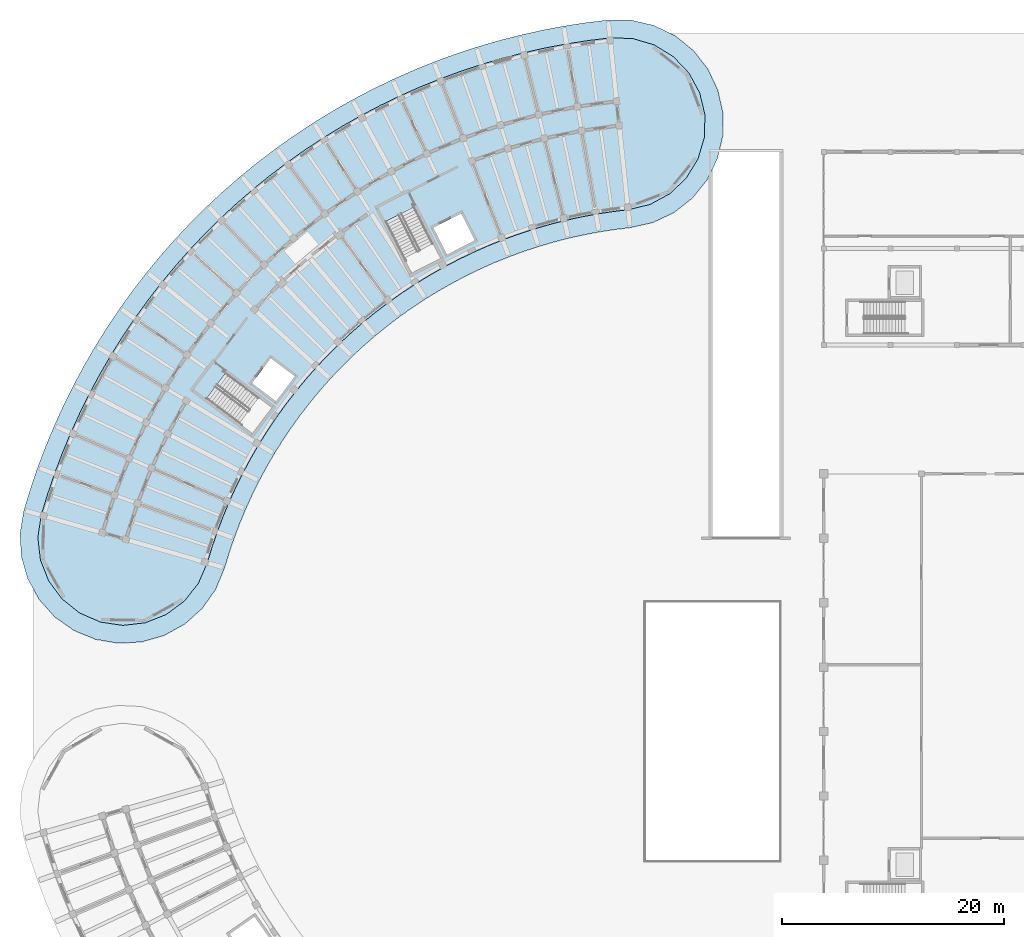
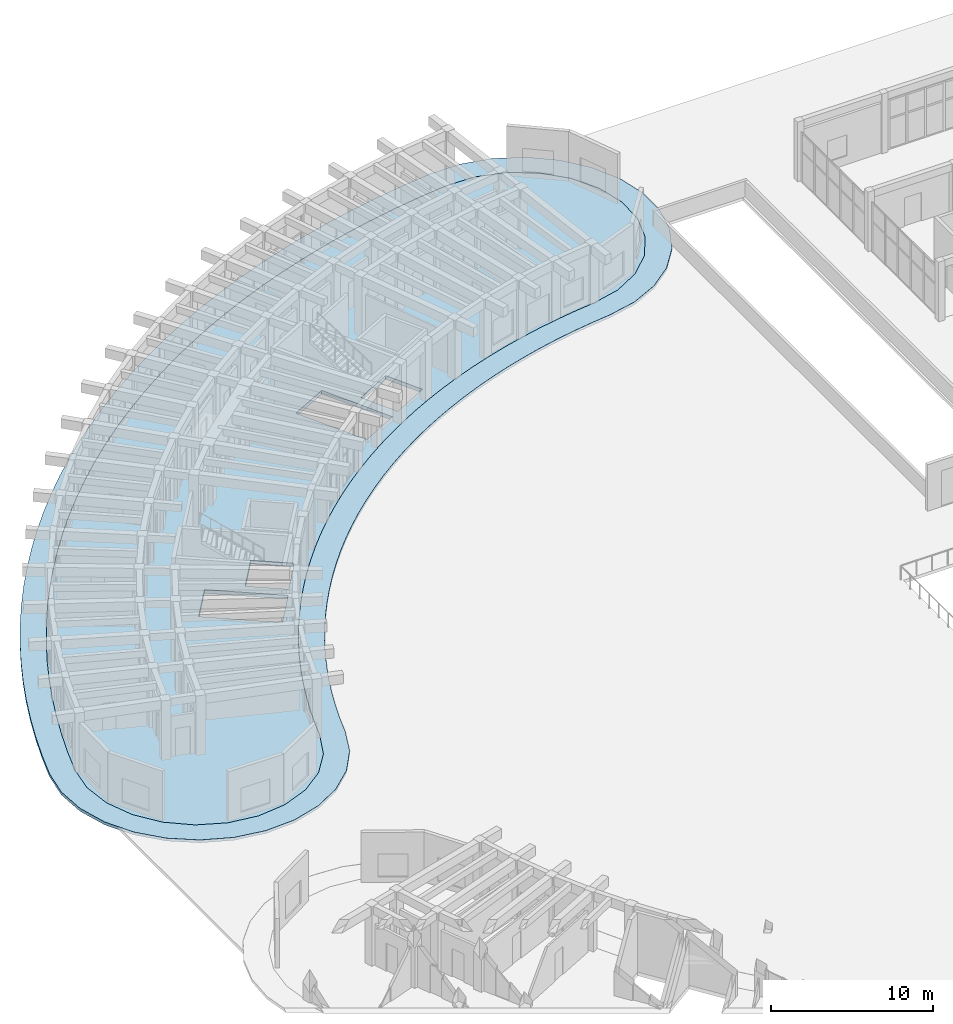
# One storey, part 77 of 132: 2 slabs.
"""IFC4 building model written with IfcOpenShell, lengths in metres."""

from ifc_helpers import new_model, si_unit, direction, frame, origin, place, context, subcontext, project, spatial, polyline, outline, extrude, material, layer, layer_set, type_object, element, save


model = new_model("IFC4")

# Units and contexts
model_context = context("Model", 3, precision=1e-05, world=origin(), true_north=direction((0.0, 1.0)))
body_context = subcontext(model_context, "Body", "Model", "MODEL_VIEW")
ifc_project = project(units=[si_unit("LENGTHUNIT", "METRE"), si_unit("AREAUNIT", "SQUARE_METRE"), si_unit("VOLUMEUNIT", "CUBIC_METRE"), si_unit("PLANEANGLEUNIT", "RADIAN"), si_unit("MASSUNIT", "GRAM", prefix="KILO")], contexts=[model_context])

# Site, building, storey
site_placement = place(None, origin())
site = spatial("IfcSite", under=ifc_project, at=site_placement, CompositionType="ELEMENT")
building_placement = place(site_placement, origin())
building = spatial("IfcBuilding", under=site, at=building_placement, Name="Tanwirah Colonnade Gardens", CompositionType="ELEMENT")
storey_placement = place(building_placement, origin())
storey = spatial("IfcBuildingStorey", under=building, at=storey_placement, Name="L00", CompositionType="ELEMENT", Elevation=0.0)

# Slabs
ifc_material_1 = material(Name="Concrete C45/55", Category="concrete")
ifc_layer_1 = layer(ifc_material_1, 0.280029296875)
ifc_layer_set_1 = layer_set([ifc_layer_1], Name="Concrete C45/55")
slab_type_1 = type_object("IfcSlabType", Name="SL-POD-280", PredefinedType="FLOOR", material=ifc_layer_set_1)
slab_1_placement = place(storey_placement, frame((0.0, 0.0, -0.280029296875)))
element("IfcSlab", 1, at=slab_1_placement, inside=storey, type_object=slab_type_1, Name="Block A L00 Precast Composite Floor Slab", PredefinedType="FLOOR", context=body_context, shape_type="SweptSolid", body=[
    extrude(outline(polyline([(57.49365234375, 103.758056640625), (58.933349609375, 103.981689453125), (60.3798828125, 104.157958984375), (62.35986328125, 104.63330078125), (64.149169921875, 105.604736328125), (65.626220703125, 107.00634765625), (66.690185546875, 108.74267578125), (67.2685546875, 110.695068359375), (67.32177734375, 112.73046875), (66.846435546875, 114.71044921875), (65.874755859375, 116.499755859375), (64.47314453125, 117.976806640625), (62.737060546875, 119.040771484375), (60.78466796875, 119.619140625), (58.749267578125, 119.67236328125), (56.792236328125, 119.43408203125), (54.84423828125, 119.13134765625), (52.907470703125, 118.7646484375), (50.983642578125, 118.334228515625), (49.074951171875, 117.840576171875), (47.183837890625, 117.284423828125), (45.311767578125, 116.666015625), (43.46142578125, 115.986328125), (41.63427734375, 115.24609375), (39.83251953125, 114.446044921875), (38.05810546875, 113.587158203125), (36.313232421875, 112.669921875), (34.599365234375, 111.696044921875), (32.91845703125, 110.666015625), (31.2724609375, 109.5810546875), (29.6630859375, 108.442626953125), (28.092041015625, 107.25146484375), (26.561279296875, 106.009521484375), (25.072265625, 104.717529296875), (23.62646484375, 103.377197265625), (22.225830078125, 101.990234375), (20.87158203125, 100.5576171875), (19.5654296875, 99.0810546875), (18.30859375, 97.562255859375), (17.102294921875, 96.0029296875), (15.9482421875, 94.40478515625), (14.847412109375, 92.76953125), (13.80126953125, 91.0986328125), (12.810546875, 89.394287109375), (11.876708984375, 87.658203125), (11.00048828125, 85.892333984375), (10.182861328125, 84.098388671875), (9.425048828125, 82.278564453125), (8.7275390625, 80.434814453125), (8.091064453125, 78.56884765625), (7.5166015625, 76.68310546875), (7.215576171875, 74.669189453125), (7.446044921875, 72.646240234375), (8.1923828125, 70.751708984375), (9.403564453125, 69.11474609375), (10.9970703125, 67.84716796875), (12.864501953125, 67.035400390625), (14.878173828125, 66.734375), (16.9013671875, 66.96484375), (18.7958984375, 67.711181640625), (20.4326171875, 68.92236328125), (21.7001953125, 70.515869140625), (22.51220703125, 72.383056640625), (22.93701171875, 73.777099609375), (23.4072265625, 75.156005859375), (23.9228515625, 76.518798828125), (24.483154296875, 77.864013671875), (25.08740234375, 79.18994140625), (25.73486328125, 80.4951171875), (26.42529296875, 81.7783203125), (27.157470703125, 83.0380859375), (27.9306640625, 84.27294921875), (28.744384765625, 85.48193359375), (29.597412109375, 86.6630859375), (30.489013671875, 87.815673828125), (31.41796875, 88.938232421875), (32.38330078125, 90.029541015625), (33.38427734375, 91.08837890625), (34.419677734375, 92.11376953125), (35.48828125, 93.104248046875), (36.5888671875, 94.05908203125), (37.72021484375, 94.977294921875), (38.88134765625, 95.857421875), (40.07080078125, 96.698974609375), (41.28759765625, 97.5009765625), (42.52978515625, 98.26220703125), (43.796630859375, 98.982177734375), (45.08642578125, 99.659912109375), (46.39794921875, 100.294921875), (47.729736328125, 100.88623046875), (49.080078125, 101.433349609375), (50.447998046875, 101.935791015625), (51.83154296875, 102.392822265625), (53.229248046875, 102.803955078125), (54.64013671875, 103.168701171875), (56.06201171875, 103.48681640625), (57.49365234375, 103.758056640625)]), holes=[polyline([(41.13427734375, 104.433349609375), (43.49365234375, 99.802734375), (40.897216796875, 98.479736328125), (38.537841796875, 103.1103515625), (41.13427734375, 104.433349609375)]), polyline([(46.574462890625, 101.428466796875), (44.07958984375, 100.157470703125), (42.853759765625, 102.563232421875), (45.3486328125, 103.834228515625), (46.574462890625, 101.428466796875)]), polyline([(26.555908203125, 84.039794921875), (22.4052734375, 87.16748046875), (24.158935546875, 89.49462890625), (28.3095703125, 86.366943359375), (26.555908203125, 84.039794921875)]), polyline([(26.5244140625, 88.5673828125), (28.20947265625, 90.8037109375), (30.36572265625, 89.1787109375), (28.6806640625, 86.942626953125), (26.5244140625, 88.5673828125)])]), origin(), (0.0, 0.0, 1.0), 0.280029296875),
])
ifc_material_2 = material(Name="White architectural precast concrete C40/50", Category="concrete")
ifc_layer_2 = layer(ifc_material_2, 0.215087890625)
ifc_layer_set_2 = layer_set([ifc_layer_2], Name="White architectural precast concrete C40/50")
slab_type_2 = type_object("IfcSlabType", Name="SL-VER-215", PredefinedType="FLOOR", material=ifc_layer_set_2)
slab_2_placement = place(storey_placement, frame((0.0, 0.0, -0.215087890625)))
element("IfcSlab", 2, at=slab_2_placement, inside=storey, type_object=slab_type_2, Name="Block A L00 Continuous White Balcony Ribbon", PredefinedType="FLOOR", context=body_context, shape_type="SweptSolid", body=[
    extrude(outline(polyline([(62.602783203125, 103.019775390625), (64.505859375, 103.918701171875), (66.161376953125, 105.21875), (67.486083984375, 106.854736328125), (68.41357421875, 108.744140625), (68.897216796875, 110.792724609375), (68.9130859375, 112.897705078125), (68.4599609375, 114.953369140625), (67.560791015625, 116.8564453125), (66.2607421875, 118.511962890625), (64.625, 119.836669921875), (62.7353515625, 120.76416015625), (60.686767578125, 121.247802734375), (58.58203125, 121.263671875), (56.57275390625, 121.018798828125), (54.572509765625, 120.7080078125), (52.583740234375, 120.33154296875), (50.608642578125, 119.8896484375), (48.64892578125, 119.3828125), (46.70703125, 118.811767578125), (44.78515625, 118.1767578125), (42.885009765625, 117.47900390625), (41.009033203125, 116.718994140625), (39.1591796875, 115.8974609375), (37.33740234375, 115.015380859375), (35.545654296875, 114.073974609375), (33.785888671875, 113.07373046875), (32.06005859375, 112.01611328125), (30.3701171875, 110.90234375), (28.717529296875, 109.7333984375), (27.104736328125, 108.510498046875), (25.532958984375, 107.235107421875), (24.00390625, 105.90869140625), (22.51953125, 104.532470703125), (21.08154296875, 103.108154296875), (19.69091796875, 101.63720703125), (18.349853515625, 100.121337890625), (17.059326171875, 98.56201171875), (15.82080078125, 96.9609375), (14.6357421875, 95.320068359375), (13.505615234375, 93.640869140625), (12.431396484375, 91.92529296875), (11.414306640625, 90.17529296875), (10.455322265625, 88.392822265625), (9.5556640625, 86.57958984375), (8.71630859375, 84.73779296875), (7.93798828125, 82.869140625), (7.221923828125, 80.97607421875), (6.568359375, 79.060302734375), (5.978515625, 77.1240234375), (5.62841796875, 75.048583984375), (5.749267578125, 72.947021484375), (6.33447265625, 70.925048828125), (7.35498046875, 69.083984375), (8.759521484375, 67.516357421875), (10.477783203125, 66.30029296875), (12.42333984375, 65.497314453125), (14.4990234375, 65.147216796875), (16.6005859375, 65.267822265625), (18.62255859375, 65.853271484375), (20.46337890625, 66.873779296875), (22.03125, 68.2783203125), (23.2470703125, 69.996337890625), (24.05029296875, 71.942138671875), (24.45947265625, 73.28564453125), (24.912841796875, 74.61474609375), (25.409912109375, 75.92822265625), (25.94970703125, 77.224609375), (26.531982421875, 78.50244140625), (27.15625, 79.760498046875), (27.821533203125, 80.997314453125), (28.52734375, 82.21142578125), (29.272705078125, 83.401611328125), (30.056884765625, 84.566650390625), (30.87890625, 85.705078125), (31.73828125, 86.81591796875), (32.633544921875, 87.89794921875), (33.564208984375, 88.94970703125), (34.52880859375, 89.97021484375), (35.526611328125, 90.95849609375), (36.556396484375, 91.9130859375), (37.6171875, 92.83349609375), (38.707763671875, 93.71826171875), (39.826904296875, 94.566650390625), (40.973388671875, 95.3779296875), (42.14599609375, 96.150634765625), (43.34326171875, 96.884521484375), (44.564208984375, 97.578369140625), (45.807373046875, 98.231689453125), (47.0712890625, 98.843505859375), (48.354736328125, 99.41357421875), (49.656494140625, 99.94091796875), (50.974609375, 100.425048828125), (52.30810546875, 100.865478515625), (53.655517578125, 101.26171875), (55.01513671875, 101.61328125), (56.385498046875, 101.919921875), (57.765380859375, 102.18115234375), (59.153076171875, 102.396728515625), (60.547119140625, 102.566650390625), (62.602783203125, 103.019775390625)]), holes=[polyline([(62.3525390625, 104.652099609375), (60.376220703125, 104.177490234375), (58.930908203125, 104.00146484375), (58.930419921875, 104.00146484375), (57.490478515625, 103.777587890625), (57.489990234375, 103.777587890625), (56.058349609375, 103.506591796875), (56.0576171875, 103.50634765625), (54.6357421875, 103.188232421875), (54.635009765625, 103.18798828125), (53.224365234375, 102.8232421875), (53.2236328125, 102.822998046875), (51.825927734375, 102.411865234375), (51.8251953125, 102.411865234375), (50.441650390625, 101.954833984375), (50.44091796875, 101.95458984375), (49.0732421875, 101.4521484375), (49.07275390625, 101.451904296875), (47.72216796875, 100.90478515625), (47.7216796875, 100.904541015625), (46.389892578125, 100.313232421875), (46.38916015625, 100.31298828125), (45.077880859375, 99.677978515625), (45.0771484375, 99.677734375), (43.787353515625, 99.0), (43.786865234375, 98.99951171875), (42.52001953125, 98.279541015625), (42.51953125, 98.279296875), (41.277099609375, 97.51806640625), (41.276611328125, 97.517578125), (40.059814453125, 96.7158203125), (40.059326171875, 96.71533203125), (38.869873046875, 95.873779296875), (38.869384765625, 95.87353515625), (37.708251953125, 94.9931640625), (37.707763671875, 94.99267578125), (36.576171875, 94.07470703125), (36.57568359375, 94.07421875), (35.47509765625, 93.119384765625), (35.474609375, 93.118896484375), (34.406005859375, 92.12841796875), (34.405517578125, 92.1279296875), (33.370361328125, 91.1025390625), (33.369873046875, 91.10205078125), (32.368896484375, 90.043212890625), (32.368408203125, 90.042724609375), (31.40283203125, 88.951416015625), (31.402587890625, 88.950927734375), (30.473388671875, 87.828369140625), (30.47314453125, 87.827880859375), (29.58154296875, 86.67529296875), (29.581298828125, 86.6748046875), (28.728271484375, 85.493408203125), (28.727783203125, 85.492919921875), (27.9140625, 84.2841796875), (27.913818359375, 84.28369140625), (27.140380859375, 83.048828125), (27.14013671875, 83.048095703125), (26.407958984375, 81.788330078125), (26.40771484375, 81.787841796875), (25.71728515625, 80.504638671875), (25.717041015625, 80.504150390625), (25.0693359375, 79.19873046875), (25.069091796875, 79.1982421875), (24.46484375, 77.872314453125), (24.464599609375, 77.87158203125), (23.904296875, 76.526611328125), (23.904052734375, 76.52587890625), (23.388671875, 75.1630859375), (23.388427734375, 75.16259765625), (22.91796875, 73.783447265625), (22.917724609375, 73.78271484375), (22.493408203125, 72.39013671875), (21.68310546875, 70.526123046875), (20.418701171875, 68.936767578125), (18.7861328125, 67.728759765625), (16.896484375, 66.984375), (14.878662109375, 66.75439453125), (12.869873046875, 67.0546875), (11.007568359375, 67.864501953125), (9.41796875, 69.12890625), (8.2099609375, 70.761474609375), (7.465576171875, 72.651123046875), (7.23583984375, 74.6689453125), (7.5361328125, 76.6787109375), (8.110107421875, 78.562744140625), (8.746337890625, 80.427978515625), (9.443603515625, 82.271240234375), (10.201171875, 84.09033203125), (11.0185546875, 85.883544921875), (11.89453125, 87.64892578125), (12.828125, 89.384521484375), (13.818359375, 91.08837890625), (14.8642578125, 92.758544921875), (15.964599609375, 94.393310546875), (17.118408203125, 95.990966796875), (18.32421875, 97.5498046875), (19.58056640625, 99.068115234375), (20.886474609375, 100.5439453125), (22.240234375, 101.97607421875), (23.640380859375, 103.36279296875), (25.085693359375, 104.70263671875), (26.57421875, 105.994140625), (28.1044921875, 107.23583984375), (29.6748046875, 108.42626953125), (31.28369140625, 109.564453125), (32.92919921875, 110.649169921875), (34.609375, 111.6787109375), (36.32275390625, 112.652587890625), (38.067138671875, 113.5693359375), (39.841064453125, 114.427978515625), (41.64208984375, 115.227783203125), (43.468505859375, 115.9677734375), (45.318359375, 116.647216796875), (47.189697265625, 117.26513671875), (49.080322265625, 117.8212890625), (50.98828125, 118.314697265625), (52.911376953125, 118.744873046875), (54.84765625, 119.111572265625), (56.795166015625, 119.414306640625), (58.750244140625, 119.65234375), (60.781494140625, 119.59912109375), (62.728759765625, 119.0224609375), (64.46044921875, 117.961181640625), (65.858642578125, 116.488037109375), (66.82763671875, 114.703125), (67.3017578125, 112.728271484375), (67.24853515625, 110.697998046875), (66.671630859375, 108.750732421875), (65.610595703125, 107.01904296875), (64.137451171875, 105.62109375), (62.3525390625, 104.652099609375)])]), origin(), (0.0, 0.0, 1.0), 0.215087890625),
])

save(model, "model.ifc")
